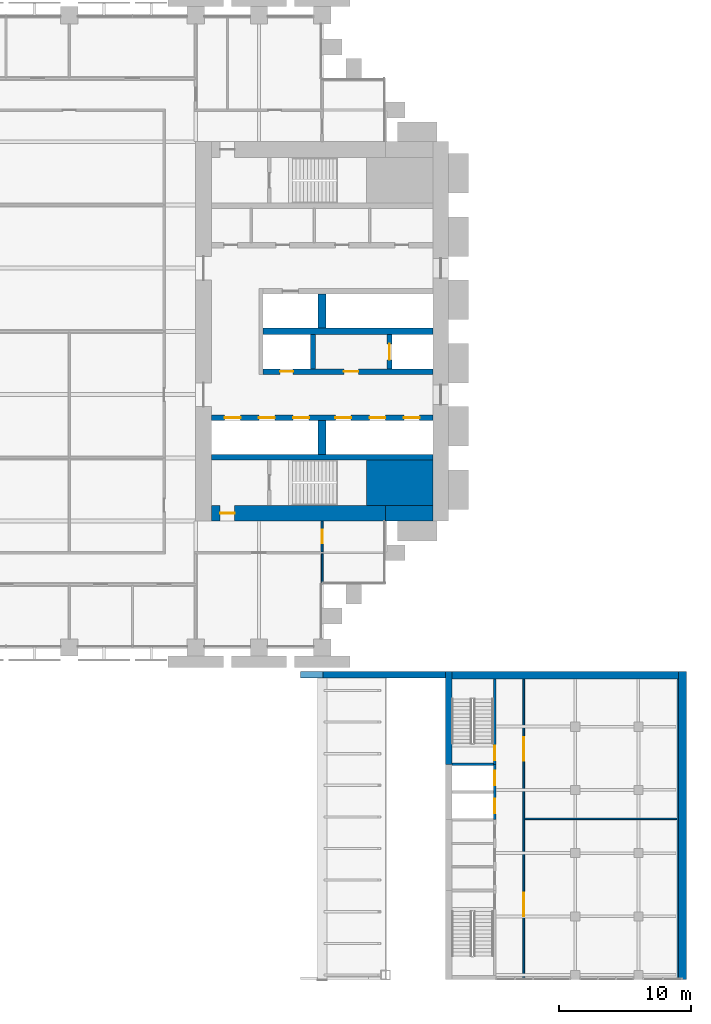
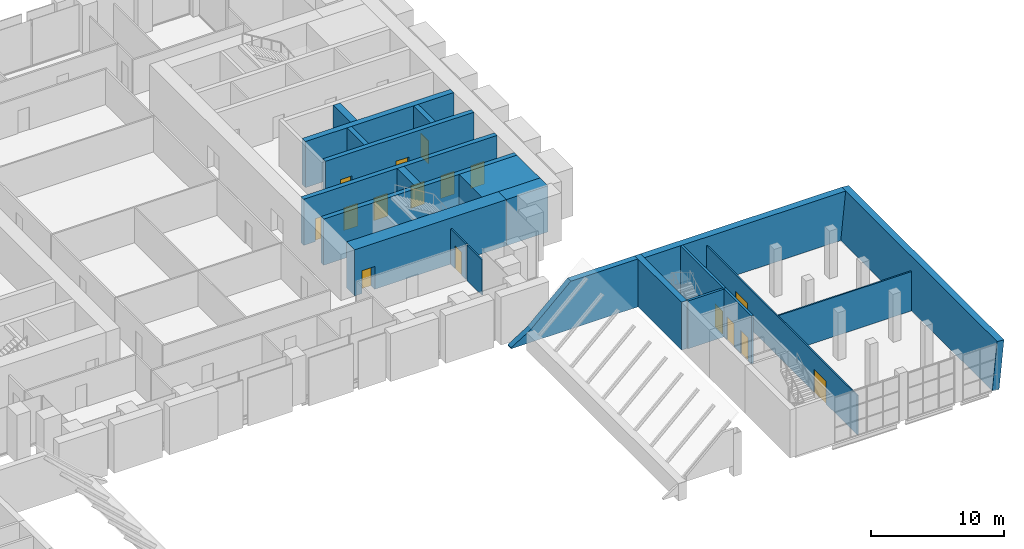
# One storey, part 23 of 30: 22 walls, 16 doors, 16 openings.
"""IFC4 building model written with IfcOpenShell, lengths in metres."""

from ifc_helpers import new_model, si_unit, direction, frame, frame_2d, origin, place, context, subcontext, project, spatial, polyline, rectangle, outline, extrude, material, layer, layer_set, type_object, element, fill, save


model = new_model("IFC4")

# Units and contexts
model_context = context("Model", 3, precision=1e-05, world=origin(), true_north=direction((0.0, 1.0)))
body_context = subcontext(model_context, "Body", "Model", "MODEL_VIEW")
ifc_project = project(units=[si_unit("LENGTHUNIT", "METRE"), si_unit("AREAUNIT", "SQUARE_METRE"), si_unit("VOLUMEUNIT", "CUBIC_METRE"), si_unit("PLANEANGLEUNIT", "RADIAN"), si_unit("MASSUNIT", "GRAM", prefix="KILO")], contexts=[model_context])

# Site, building, storey
site_placement = place(None, origin())
site = spatial("IfcSite", under=ifc_project, at=site_placement, CompositionType="ELEMENT")
building_placement = place(site_placement, origin())
building = spatial("IfcBuilding", under=site, at=building_placement, Name="Baori Bourse Tower", CompositionType="ELEMENT")
storey_placement = place(building_placement, frame((0.0, 0.0, 17.0)))
storey = spatial("IfcBuildingStorey", under=building, at=storey_placement, Name="L02", CompositionType="ELEMENT", Elevation=17.0)

# Walls
ifc_material_1 = material(Name="Concrete f'c 70 MPa", Category="concrete")
wall_type_1 = type_object("IfcWallType", Name="Core corner block f'c 70", PredefinedType="SHEAR", material=ifc_material_1)
wall_1_placement = place(storey_placement, frame((51.35009765625, 12.52490234375, 0.0), z_axis=(0.0, 0.0, 1.0), x_axis=(1.0, 0.0, 0.0)))
element("IfcWall", 1, at=wall_1_placement, inside=storey, type_object=wall_type_1, Name="Core wall E05", PredefinedType="SHEAR", context=body_context, shape_type="SweptSolid", body=[
    extrude(rectangle(XDim=5.0498046875, YDim=3.449951171875, at=frame_2d((2.52490234375, 0.0))), origin(), (0.0, 0.0, 1.0), 4.239990234375),
])
ifc_material_2 = material(Name="Concrete f'c 70 MPa", Category="concrete")
ifc_layer_1 = layer(ifc_material_2, 1.199951171875)
ifc_layer_set_1 = layer_set([ifc_layer_1], Name="Core wall 1200 f'c 70")
wall_type_2 = type_object("IfcWallType", Name="Core wall 1200 f'c 70", PredefinedType="SHEAR", material=ifc_layer_set_1)
wall_2_placement = place(storey_placement, frame((56.39990234375, 10.199951171875, 0.0), z_axis=(0.0, 0.0, 1.0), x_axis=(-1.0, 0.0, 0.0)))
element("IfcWall", 2, at=wall_2_placement, inside=storey, type_object=wall_type_2, Name="Core wall E02", PredefinedType="SHEAR", context=body_context, shape_type="SweptSolid", body=[
    extrude(rectangle(XDim=3.599853515625, YDim=1.199951171875, at=frame_2d((1.7998046875, 0.0))), origin(), (0.0, 0.0, 1.0), 4.239990234375),
])

# Wall, opening, door
wall_3_placement = place(storey_placement, frame((52.800048828125, 10.199951171875, 0.0), z_axis=(0.0, 0.0, 1.0), x_axis=(-1.0, 0.0, 0.0)))
wall_3 = element("IfcWall", 3, at=wall_3_placement, inside=storey, type_object=wall_type_2, Name="Core wall E03", PredefinedType="SHEAR", context=body_context, shape_type="SweptSolid", body=[
    extrude(rectangle(XDim=13.199951171875, YDim=1.199951171875, at=frame_2d((6.60009765625, 0.0))), origin(), (0.0, 0.0, 1.0), 4.239990234375),
])
opening_1_placement = place(wall_3_placement, frame((11.449951171875, 0.0, 0.0)))
opening_1 = element("IfcOpeningElement", 4, at=opening_1_placement, cuts=wall_3, Name="Opening L02-D202", PredefinedType="OPENING", context=body_context, shape_type="SweptSolid", body=[
    extrude(rectangle(XDim=1.10009765625, YDim=2.10009765625, at=frame_2d((0.550048828125, 1.050048828125))), frame((0.0, 0.60986328125, 0.0), z_axis=(0.0, -1.0, 0.0), x_axis=(1.0, 0.0, 0.0)), (0.0, 0.0, 1.0), 1.219970703125),
])
ifc_material_3 = material(Name="Painted steel door", Category="steel")
door_type_1 = type_object("IfcDoorType", Name="Stair door 1100", OperationType="SINGLE_SWING_LEFT", PredefinedType="DOOR", material=ifc_material_3)
door_1_placement = place(opening_1_placement, origin())
door_1 = element("IfcDoor", 5, at=door_1_placement, inside=storey, type_object=door_type_1, Name="Stair vestibule door A E L02", OperationType="SINGLE_SWING_LEFT", OverallHeight=2.10009765625, OverallWidth=1.10009765625, PredefinedType="DOOR", context=body_context, shape_type="SweptSolid", body=[
    extrude(rectangle(XDim=1.10009765625, YDim=2.10009765625, at=frame_2d((0.550048828125, 1.050048828125))), frame((0.0, 0.02490234375, 0.0), z_axis=(0.0, -1.0, 0.0), x_axis=(1.0, 0.0, 0.0)), (0.0, 0.0, 1.0), 0.050048828125),
])
fill(opening_1, door_1)

ifc_material_4 = material(Name="Gypsum board partition")
ifc_layer_2 = layer(ifc_material_4, 0.14990234375)
ifc_layer_set_2 = layer_set([ifc_layer_2], Name="Corridor partition 150")
wall_type_3 = type_object("IfcWallType", Name="Corridor partition 150", PredefinedType="PARTITIONING", material=ifc_layer_set_2)
wall_4_placement = place(storey_placement, frame((48.0, 7.27490234375, 0.0), z_axis=(0.0, 0.0, 1.0), x_axis=(0.0, 1.0, 0.0)))
wall_4 = element("IfcWall", 6, at=wall_4_placement, inside=storey, type_object=wall_type_3, Name="Partition", PredefinedType="PARTITIONING", context=body_context, shape_type="SweptSolid", body=[
    extrude(rectangle(XDim=2.3251953125, YDim=0.14990234375, at=frame_2d((1.16259765625, 0.0))), origin(), (0.0, 0.0, 1.0), 3.24951171875),
])
opening_2_placement = place(wall_4_placement, frame((0.66259765625, 0.0, 0.0)))
opening_2 = element("IfcOpeningElement", 7, at=opening_2_placement, cuts=wall_4, Name="Opening L02-D24", PredefinedType="OPENING", context=body_context, shape_type="SweptSolid", body=[
    extrude(rectangle(XDim=1.0, YDim=2.10009765625, at=frame_2d((0.5, 1.050048828125))), frame((0.0, 0.0849609375, 0.0), z_axis=(0.0, -1.0, 0.0), x_axis=(1.0, 0.0, 0.0)), (0.0, 0.0, 1.0), 0.169921875),
])
ifc_material_5 = material(Name="Timber door leaf", Category="wood")
door_type_2 = type_object("IfcDoorType", Name="Door 1000 x 2100", OperationType="SINGLE_SWING_LEFT", PredefinedType="DOOR", material=ifc_material_5)
door_2_placement = place(opening_2_placement, origin())
door_2 = element("IfcDoor", 8, at=door_2_placement, inside=storey, type_object=door_type_2, Name="Door", OperationType="SINGLE_SWING_LEFT", OverallHeight=2.10009765625, OverallWidth=1.0, PredefinedType="DOOR", context=body_context, shape_type="SweptSolid", body=[
    extrude(rectangle(XDim=1.0, YDim=2.10009765625, at=frame_2d((0.5, 1.050048828125))), frame((0.0, 0.02490234375, 0.0), z_axis=(0.0, -1.0, 0.0), x_axis=(1.0, 0.0, 0.0)), (0.0, 0.0, 1.0), 0.050048828125),
])
fill(opening_2, door_2)

# Walls
ifc_material_6 = material(Name="Concrete f'c 50 MPa", Category="concrete")
ifc_layer_3 = layer(ifc_material_6, 0.5)
ifc_layer_set_3 = layer_set([ifc_layer_3], Name="Hall end wall 500")
wall_type_4 = type_object("IfcWallType", Name="Hall end wall 500", PredefinedType="SOLIDWALL", material=ifc_layer_set_3)
wall_5_placement = place(storey_placement, frame((57.60009765625, -1.800048828125, 0.0), z_axis=(0.0, 0.0, 1.0), x_axis=(0.0, -1.0, 0.0)))
element("IfcWall", 9, at=wall_5_placement, inside=storey, type_object=wall_type_4, Name="wing/L02/Ehallwall/001", PredefinedType="SOLIDWALL", context=body_context, shape_type="SweptSolid", body=[
    extrude(rectangle(XDim=7.06005859375, YDim=0.5, at=frame_2d((3.530029296875, 0.0))), origin(), (0.0, 0.0, 1.0), 4.39990234375),
])
ifc_material_7 = material(Name="Concrete f'c 50 MPa", Category="concrete")
ifc_layer_4 = layer(ifc_material_7, 0.5)
ifc_layer_set_4 = layer_set([ifc_layer_4], Name="Hall north wall 500")
wall_type_5 = type_object("IfcWallType", Name="Hall north wall 500", PredefinedType="SOLIDWALL", material=ifc_layer_set_4)
wall_6_placement = place(storey_placement, frame((46.336181640625, -2.050048828125, 0.0), z_axis=(0.0, 0.0, 1.0), x_axis=(1.0, 0.0, 0.0)))
element("IfcWall", 10, at=wall_6_placement, inside=storey, type_object=wall_type_5, Name="wing/L02/hallnorth/002", PredefinedType="SOLIDWALL", context=body_context, shape_type="SweptSolid", body=[
    extrude(outline(polyline([(0.0, 0.0), (11.013916015625, 0.0), (11.013671875, 4.39990234375), (6.4638671875, 4.39990234375), (5.18359375, 4.39990234375), (1.663818359375, 1.140380859375), (0.0, 0.10009765625), (0.0, 0.0)])), frame((0.0, 0.25, 0.0), z_axis=(0.0, -1.0, 0.0), x_axis=(1.0, 0.0, 0.0)), (0.0, 0.0, 1.0), 0.5),
])
ifc_material_8 = material(Name="Concrete f'c 50 MPa", Category="concrete")
ifc_layer_5 = layer(ifc_material_8, 0.60009765625)
ifc_layer_set_5 = layer_set([ifc_layer_5], Name="Leaning end wall 600")
wall_type_6 = type_object("IfcWallType", Name="Leaning end wall 600", PredefinedType="SOLIDWALL", material=ifc_layer_set_5)
wall_7_placement = place(storey_placement, frame((74.92626953125, -25.199951171875, 0.0), z_axis=(-0.995397890889, 0.0, 0.095828173382), x_axis=(0.0, 1.0, 0.0)))
element("IfcWall", 11, at=wall_7_placement, inside=storey, type_object=wall_type_6, Name="wing/L02/Eleanwall/001", PredefinedType="SOLIDWALL", context=body_context, shape_type="SweptSolid", body=[
    extrude(outline(polyline([(0.0, 0.0), (23.39990234375, 0.0), (23.39990234375, -4.420244792582843), (0.0, -4.420244792582843), (0.0, 0.0)])), origin(), (0.0, 0.0, -1.0), 0.60009765625),
])
ifc_material_9 = material(Name="Gypsum board partition")
ifc_layer_6 = layer(ifc_material_9, 0.125)
ifc_layer_set_6 = layer_set([ifc_layer_6], Name="Partition 125")
wall_type_7 = type_object("IfcWallType", Name="Partition 125", PredefinedType="PARTITIONING", material=ifc_layer_set_6)
wall_8_placement = place(storey_placement, frame((48.0, 4.89990234375, 0.0), z_axis=(0.0, 0.0, 1.0), x_axis=(0.0, 1.0, 0.0)))
element("IfcWall", 12, at=wall_8_placement, inside=storey, type_object=wall_type_7, Name="Partition", PredefinedType="PARTITIONING", context=body_context, shape_type="SweptSolid", body=[
    extrude(rectangle(XDim=2.22509765625, YDim=0.125, at=frame_2d((1.112548828125, 0.0))), origin(), (0.0, 0.0, 1.0), 3.24951171875),
])

# Wall, opening, door
ifc_material_10 = material(Name="Concrete f'c 50 MPa", Category="concrete")
ifc_layer_7 = layer(ifc_material_10, 0.199951171875)
ifc_layer_set_7 = layer_set([ifc_layer_7], Name="Shaft wall 200")
wall_type_8 = type_object("IfcWallType", Name="Shaft wall 200", PredefinedType="SOLIDWALL", material=ifc_layer_set_7)
wall_9_placement = place(storey_placement, frame((61.10009765625, -2.39990234375, 0.0), z_axis=(0.0, 0.0, 1.0), x_axis=(0.0, -1.0, 0.0)))
wall_9 = element("IfcWall", 13, at=wall_9_placement, inside=storey, type_object=wall_type_8, Name="wing/L02/EcorrwallE/001", PredefinedType="SOLIDWALL", context=body_context, shape_type="SweptSolid", body=[
    extrude(rectangle(XDim=6.460205078125, YDim=0.199951171875, at=frame_2d((3.22998046875, 0.0))), origin(), (0.0, 0.0, 1.0), 4.39990234375),
])
opening_3_placement = place(wall_9_placement, frame((5.050048828125, 0.0, 0.0)))
opening_3 = element("IfcOpeningElement", 14, at=opening_3_placement, cuts=wall_9, Name="Opening WGE-L02-01", PredefinedType="OPENING", context=body_context, shape_type="SweptSolid", body=[
    extrude(rectangle(XDim=1.10009765625, YDim=2.10009765625, at=frame_2d((0.550048828125, 1.050048828125))), frame((0.0, 0.10986328125, 0.0), z_axis=(0.0, -1.0, 0.0), x_axis=(1.0, 0.0, 0.0)), (0.0, 0.0, 1.0), 0.219970703125),
])
ifc_material_11 = material(Name="Steel fire door", Category="steel")
door_type_3 = type_object("IfcDoorType", Name="Wing stair door 1100", OperationType="SINGLE_SWING_LEFT", PredefinedType="DOOR", material=ifc_material_11)
door_3_placement = place(opening_3_placement, origin())
door_3 = element("IfcDoor", 15, at=door_3_placement, inside=storey, type_object=door_type_3, Name="WGE-L02-01", OperationType="SINGLE_SWING_LEFT", OverallHeight=2.10009765625, OverallWidth=1.10009765625, PredefinedType="DOOR", context=body_context, shape_type="SweptSolid", body=[
    extrude(rectangle(XDim=1.10009765625, YDim=2.10009765625, at=frame_2d((0.550048828125, 1.050048828125))), frame((0.0, 0.02490234375, 0.0), z_axis=(0.0, -1.0, 0.0), x_axis=(1.0, 0.0, 0.0)), (0.0, 0.0, 1.0), 0.050048828125),
])
fill(opening_3, door_3)

# Wall, openings, doors
wall_10_placement = place(storey_placement, frame((61.10009765625, -8.860107421875, 0.0), z_axis=(0.0, 0.0, 1.0), x_axis=(0.0, -1.0, 0.0)))
wall_10 = element("IfcWall", 16, at=wall_10_placement, inside=storey, type_object=wall_type_8, Name="wing/L02/EcorrwallE/002", PredefinedType="SOLIDWALL", context=body_context, shape_type="SweptSolid", body=[
    extrude(rectangle(XDim=4.199951171875, YDim=0.199951171875, at=frame_2d((2.10009765625, 0.0))), origin(), (0.0, 0.0, 1.0), 4.39990234375),
])
opening_4_placement = place(wall_10_placement, frame((0.5, 0.0, 0.0)))
opening_4 = element("IfcOpeningElement", 17, at=opening_4_placement, cuts=wall_10, Name="Opening LD-E-L02-P", PredefinedType="OPENING", context=body_context, shape_type="SweptSolid", body=[
    extrude(rectangle(XDim=1.10009765625, YDim=2.10009765625, at=frame_2d((0.550048828125, 1.050048828125))), frame((0.0, 0.10986328125, 0.0), z_axis=(0.0, -1.0, 0.0), x_axis=(1.0, 0.0, 0.0)), (0.0, 0.0, 1.0), 0.219970703125),
])
opening_5_placement = place(wall_10_placement, frame((2.60009765625, 0.0, 0.0)))
opening_5 = element("IfcOpeningElement", 18, at=opening_5_placement, cuts=wall_10, Name="Opening LD-E-L02-S", PredefinedType="OPENING", context=body_context, shape_type="SweptSolid", body=[
    extrude(rectangle(XDim=1.10009765625, YDim=2.10009765625, at=frame_2d((0.550048828125, 1.050048828125))), frame((0.0, 0.10986328125, 0.0), z_axis=(0.0, -1.0, 0.0), x_axis=(1.0, 0.0, 0.0)), (0.0, 0.0, 1.0), 0.219970703125),
])
ifc_material_12 = material(Name="Stainless steel door", Category="steel")
door_type_4 = type_object("IfcDoorType", Name="Lift landing door 1100", OperationType="SLIDING_TO_LEFT", PredefinedType="DOOR", material=ifc_material_12)
door_4_placement = place(opening_4_placement, origin())
door_4 = element("IfcDoor", 19, at=door_4_placement, inside=storey, type_object=door_type_4, Name="LD-E-L02-P", OperationType="SLIDING_TO_LEFT", OverallHeight=2.10009765625, OverallWidth=1.10009765625, PredefinedType="DOOR", context=body_context, shape_type="SweptSolid", body=[
    extrude(rectangle(XDim=1.10009765625, YDim=2.10009765625, at=frame_2d((0.550048828125, 1.050048828125))), frame((0.0, 0.02490234375, 0.0), z_axis=(0.0, -1.0, 0.0), x_axis=(1.0, 0.0, 0.0)), (0.0, 0.0, 1.0), 0.050048828125),
])
fill(opening_4, door_4)
door_5_placement = place(opening_5_placement, origin())
door_5 = element("IfcDoor", 20, at=door_5_placement, inside=storey, type_object=door_type_4, Name="LD-E-L02-S", OperationType="SLIDING_TO_LEFT", OverallHeight=2.10009765625, OverallWidth=1.10009765625, PredefinedType="DOOR", context=body_context, shape_type="SweptSolid", body=[
    extrude(rectangle(XDim=1.10009765625, YDim=2.10009765625, at=frame_2d((0.550048828125, 1.050048828125))), frame((0.0, 0.02490234375, 0.0), z_axis=(0.0, -1.0, 0.0), x_axis=(1.0, 0.0, 0.0)), (0.0, 0.0, 1.0), 0.050048828125),
])
fill(opening_5, door_5)

# Walls
wall_11_placement = place(storey_placement, frame((61.0, -8.860107421875, 0.0), z_axis=(0.0, 0.0, 1.0), x_axis=(-1.0, 0.0, 0.0)))
element("IfcWall", 21, at=wall_11_placement, inside=storey, type_object=wall_type_8, Name="wing/L02/Eshaftwall/001", PredefinedType="SOLIDWALL", context=body_context, shape_type="SweptSolid", body=[
    extrude(rectangle(XDim=3.14990234375, YDim=0.199951171875, at=frame_2d((1.574951171875, 0.0))), origin(), (0.0, 0.0, 1.0), 4.39990234375),
])
ifc_material_13 = material(Name="Concrete f'c 70 MPa", Category="concrete")
ifc_layer_8 = layer(ifc_material_13, 0.39990234375)
ifc_layer_set_8 = layer_set([ifc_layer_8], Name="Shaft wall 400 f'c 70")
wall_type_9 = type_object("IfcWallType", Name="Shaft wall 400 f'c 70", PredefinedType="SHEAR", material=ifc_layer_set_8)
wall_12_placement = place(storey_placement, frame((39.60009765625, 14.449951171875, 0.0), z_axis=(0.0, 0.0, 1.0), x_axis=(1.0, 0.0, 0.0)))
element("IfcWall", 22, at=wall_12_placement, inside=storey, type_object=wall_type_9, Name="Core wall E07", PredefinedType="SHEAR", context=body_context, shape_type="SweptSolid", body=[
    extrude(rectangle(XDim=16.7998046875, YDim=0.39990234375, at=frame_2d((8.39990234375, 0.0))), origin(), (0.0, 0.0, 1.0), 4.239990234375),
])

# Wall, openings, doors
wall_13_placement = place(storey_placement, frame((39.60009765625, 17.449951171875, 0.0), z_axis=(0.0, 0.0, 1.0), x_axis=(1.0, 0.0, 0.0)))
wall_13 = element("IfcWall", 23, at=wall_13_placement, inside=storey, type_object=wall_type_9, Name="Core wall E09", PredefinedType="SHEAR", context=body_context, shape_type="SweptSolid", body=[
    extrude(rectangle(XDim=16.7998046875, YDim=0.39990234375, at=frame_2d((8.39990234375, 0.0))), origin(), (0.0, 0.0, 1.0), 4.239990234375),
])
opening_6_placement = place(wall_13_placement, frame((14.60009765625, 0.0, 0.0)))
opening_6 = element("IfcOpeningElement", 24, at=opening_6_placement, cuts=wall_13, Name="Opening L02-D213", PredefinedType="OPENING", context=body_context, shape_type="SweptSolid", body=[
    extrude(rectangle(XDim=1.199951171875, YDim=2.10009765625, at=frame_2d((0.60009765625, 1.050048828125))), frame((0.0, 0.2099609375, 0.0), z_axis=(0.0, -1.0, 0.0), x_axis=(1.0, 0.0, 0.0)), (0.0, 0.0, 1.0), 0.419921875),
])
opening_7_placement = place(wall_13_placement, frame((12.0, 0.0, 0.0)))
opening_7 = element("IfcOpeningElement", 25, at=opening_7_placement, cuts=wall_13, Name="Opening L02-D214", PredefinedType="OPENING", context=body_context, shape_type="SweptSolid", body=[
    extrude(rectangle(XDim=1.199951171875, YDim=2.10009765625, at=frame_2d((0.60009765625, 1.050048828125))), frame((0.0, 0.2099609375, 0.0), z_axis=(0.0, -1.0, 0.0), x_axis=(1.0, 0.0, 0.0)), (0.0, 0.0, 1.0), 0.419921875),
])
opening_8_placement = place(wall_13_placement, frame((9.39990234375, 0.0, 0.0)))
opening_8 = element("IfcOpeningElement", 26, at=opening_8_placement, cuts=wall_13, Name="Opening L02-D215", PredefinedType="OPENING", context=body_context, shape_type="SweptSolid", body=[
    extrude(rectangle(XDim=1.199951171875, YDim=2.10009765625, at=frame_2d((0.60009765625, 1.050048828125))), frame((0.0, 0.2099609375, 0.0), z_axis=(0.0, -1.0, 0.0), x_axis=(1.0, 0.0, 0.0)), (0.0, 0.0, 1.0), 0.419921875),
])
opening_9_placement = place(wall_13_placement, frame((6.199951171875, 0.0, 0.0)))
opening_9 = element("IfcOpeningElement", 27, at=opening_9_placement, cuts=wall_13, Name="Opening L02-D216", PredefinedType="OPENING", context=body_context, shape_type="SweptSolid", body=[
    extrude(rectangle(XDim=1.199951171875, YDim=2.10009765625, at=frame_2d((0.60009765625, 1.050048828125))), frame((0.0, 0.2099609375, 0.0), z_axis=(0.0, -1.0, 0.0), x_axis=(1.0, 0.0, 0.0)), (0.0, 0.0, 1.0), 0.419921875),
])
opening_10_placement = place(wall_13_placement, frame((3.60009765625, 0.0, 0.0)))
opening_10 = element("IfcOpeningElement", 28, at=opening_10_placement, cuts=wall_13, Name="Opening L02-D217", PredefinedType="OPENING", context=body_context, shape_type="SweptSolid", body=[
    extrude(rectangle(XDim=1.199951171875, YDim=2.10009765625, at=frame_2d((0.60009765625, 1.050048828125))), frame((0.0, 0.2099609375, 0.0), z_axis=(0.0, -1.0, 0.0), x_axis=(1.0, 0.0, 0.0)), (0.0, 0.0, 1.0), 0.419921875),
])
opening_11_placement = place(wall_13_placement, frame((1.0, 0.0, 0.0)))
opening_11 = element("IfcOpeningElement", 29, at=opening_11_placement, cuts=wall_13, Name="Opening L02-D218", PredefinedType="OPENING", context=body_context, shape_type="SweptSolid", body=[
    extrude(rectangle(XDim=1.199951171875, YDim=2.10009765625, at=frame_2d((0.60009765625, 1.050048828125))), frame((0.0, 0.2099609375, 0.0), z_axis=(0.0, -1.0, 0.0), x_axis=(1.0, 0.0, 0.0)), (0.0, 0.0, 1.0), 0.419921875),
])
ifc_material_14 = material(Name="Stainless steel door", Category="steel")
door_type_5 = type_object("IfcDoorType", Name="Lift landing door", OperationType="DOUBLE_DOOR_SLIDING", PredefinedType="DOOR", material=ifc_material_14)
door_6_placement = place(opening_6_placement, origin())
door_6 = element("IfcDoor", 30, at=door_6_placement, inside=storey, type_object=door_type_5, Name="Lift landing door LR1 E L02", OperationType="DOUBLE_DOOR_SLIDING", OverallHeight=2.10009765625, OverallWidth=1.199951171875, PredefinedType="DOOR", context=body_context, shape_type="SweptSolid", body=[
    extrude(rectangle(XDim=1.199951171875, YDim=2.10009765625, at=frame_2d((0.60009765625, 1.050048828125))), frame((0.0, 0.02490234375, 0.0), z_axis=(0.0, -1.0, 0.0), x_axis=(1.0, 0.0, 0.0)), (0.0, 0.0, 1.0), 0.050048828125),
])
fill(opening_6, door_6)
door_7_placement = place(opening_7_placement, origin())
door_7 = element("IfcDoor", 31, at=door_7_placement, inside=storey, type_object=door_type_5, Name="Lift landing door LR2 E L02", OperationType="DOUBLE_DOOR_SLIDING", OverallHeight=2.10009765625, OverallWidth=1.199951171875, PredefinedType="DOOR", context=body_context, shape_type="SweptSolid", body=[
    extrude(rectangle(XDim=1.199951171875, YDim=2.10009765625, at=frame_2d((0.60009765625, 1.050048828125))), frame((0.0, 0.02490234375, 0.0), z_axis=(0.0, -1.0, 0.0), x_axis=(1.0, 0.0, 0.0)), (0.0, 0.0, 1.0), 0.050048828125),
])
fill(opening_7, door_7)
door_8_placement = place(opening_8_placement, origin())
door_8 = element("IfcDoor", 32, at=door_8_placement, inside=storey, type_object=door_type_5, Name="Lift landing door LR3 E L02", OperationType="DOUBLE_DOOR_SLIDING", OverallHeight=2.10009765625, OverallWidth=1.199951171875, PredefinedType="DOOR", context=body_context, shape_type="SweptSolid", body=[
    extrude(rectangle(XDim=1.199951171875, YDim=2.10009765625, at=frame_2d((0.60009765625, 1.050048828125))), frame((0.0, 0.02490234375, 0.0), z_axis=(0.0, -1.0, 0.0), x_axis=(1.0, 0.0, 0.0)), (0.0, 0.0, 1.0), 0.050048828125),
])
fill(opening_8, door_8)
door_9_placement = place(opening_9_placement, origin())
door_9 = element("IfcDoor", 33, at=door_9_placement, inside=storey, type_object=door_type_5, Name="Lift landing door LR4 E L02", OperationType="DOUBLE_DOOR_SLIDING", OverallHeight=2.10009765625, OverallWidth=1.199951171875, PredefinedType="DOOR", context=body_context, shape_type="SweptSolid", body=[
    extrude(rectangle(XDim=1.199951171875, YDim=2.10009765625, at=frame_2d((0.60009765625, 1.050048828125))), frame((0.0, 0.02490234375, 0.0), z_axis=(0.0, -1.0, 0.0), x_axis=(1.0, 0.0, 0.0)), (0.0, 0.0, 1.0), 0.050048828125),
])
fill(opening_9, door_9)
door_10_placement = place(opening_10_placement, origin())
door_10 = element("IfcDoor", 34, at=door_10_placement, inside=storey, type_object=door_type_5, Name="Lift landing door LR5 E L02", OperationType="DOUBLE_DOOR_SLIDING", OverallHeight=2.10009765625, OverallWidth=1.199951171875, PredefinedType="DOOR", context=body_context, shape_type="SweptSolid", body=[
    extrude(rectangle(XDim=1.199951171875, YDim=2.10009765625, at=frame_2d((0.60009765625, 1.050048828125))), frame((0.0, 0.02490234375, 0.0), z_axis=(0.0, -1.0, 0.0), x_axis=(1.0, 0.0, 0.0)), (0.0, 0.0, 1.0), 0.050048828125),
])
fill(opening_10, door_10)
door_11_placement = place(opening_11_placement, origin())
door_11 = element("IfcDoor", 35, at=door_11_placement, inside=storey, type_object=door_type_5, Name="Lift landing door LR6 E L02", OperationType="DOUBLE_DOOR_SLIDING", OverallHeight=2.10009765625, OverallWidth=1.199951171875, PredefinedType="DOOR", context=body_context, shape_type="SweptSolid", body=[
    extrude(rectangle(XDim=1.199951171875, YDim=2.10009765625, at=frame_2d((0.60009765625, 1.050048828125))), frame((0.0, 0.02490234375, 0.0), z_axis=(0.0, -1.0, 0.0), x_axis=(1.0, 0.0, 0.0)), (0.0, 0.0, 1.0), 0.050048828125),
])
fill(opening_11, door_11)

wall_14_placement = place(storey_placement, frame((43.5, 20.949951171875, 0.0), z_axis=(0.0, 0.0, 1.0), x_axis=(1.0, 0.0, 0.0)))
wall_14 = element("IfcWall", 36, at=wall_14_placement, inside=storey, type_object=wall_type_9, Name="Core wall E10", PredefinedType="SHEAR", context=body_context, shape_type="SweptSolid", body=[
    extrude(rectangle(XDim=12.89990234375, YDim=0.39990234375, at=frame_2d((6.449951171875, 0.0))), origin(), (0.0, 0.0, 1.0), 4.239990234375),
])
opening_12_placement = place(wall_14_placement, frame((6.14990234375, 0.0, 0.0)))
opening_12 = element("IfcOpeningElement", 37, at=opening_12_placement, cuts=wall_14, Name="Opening L02-D205", PredefinedType="OPENING", context=body_context, shape_type="SweptSolid", body=[
    extrude(rectangle(XDim=1.10009765625, YDim=2.10009765625, at=frame_2d((0.550048828125, 1.050048828125))), frame((0.0, 0.2099609375, 0.0), z_axis=(0.0, -1.0, 0.0), x_axis=(1.0, 0.0, 0.0)), (0.0, 0.0, 1.0), 0.419921875),
])
opening_13_placement = place(wall_14_placement, frame((1.300048828125, 0.0, 0.0)))
opening_13 = element("IfcOpeningElement", 38, at=opening_13_placement, cuts=wall_14, Name="Opening L02-D206", PredefinedType="OPENING", context=body_context, shape_type="SweptSolid", body=[
    extrude(rectangle(XDim=1.0, YDim=2.10009765625, at=frame_2d((0.5, 1.050048828125))), frame((0.0, 0.2099609375, 0.0), z_axis=(0.0, -1.0, 0.0), x_axis=(1.0, 0.0, 0.0)), (0.0, 0.0, 1.0), 0.419921875),
])
ifc_material_15 = material(Name="Painted steel door", Category="steel")
door_type_6 = type_object("IfcDoorType", Name="Lobby door 1100", OperationType="SINGLE_SWING_LEFT", PredefinedType="DOOR", material=ifc_material_15)
door_12_placement = place(opening_12_placement, origin())
door_12 = element("IfcDoor", 39, at=door_12_placement, inside=storey, type_object=door_type_6, Name="Firefighting lobby door E L02", OperationType="SINGLE_SWING_LEFT", OverallHeight=2.10009765625, OverallWidth=1.10009765625, PredefinedType="DOOR", context=body_context, shape_type="SweptSolid", body=[
    extrude(rectangle(XDim=1.10009765625, YDim=2.10009765625, at=frame_2d((0.550048828125, 1.050048828125))), frame((0.0, 0.02490234375, 0.0), z_axis=(0.0, -1.0, 0.0), x_axis=(1.0, 0.0, 0.0)), (0.0, 0.0, 1.0), 0.050048828125),
])
fill(opening_12, door_12)
ifc_material_16 = material(Name="Painted steel door", Category="steel")
door_type_7 = type_object("IfcDoorType", Name="Shaft door 1000", OperationType="SINGLE_SWING_LEFT", PredefinedType="DOOR", material=ifc_material_16)
door_13_placement = place(opening_13_placement, origin())
door_13 = element("IfcDoor", 40, at=door_13_placement, inside=storey, type_object=door_type_7, Name="Riser room door E L02", OperationType="SINGLE_SWING_LEFT", OverallHeight=2.10009765625, OverallWidth=1.0, PredefinedType="DOOR", context=body_context, shape_type="SweptSolid", body=[
    extrude(rectangle(XDim=1.0, YDim=2.10009765625, at=frame_2d((0.5, 1.050048828125))), frame((0.0, 0.02490234375, 0.0), z_axis=(0.0, -1.0, 0.0), x_axis=(1.0, 0.0, 0.0)), (0.0, 0.0, 1.0), 0.050048828125),
])
fill(opening_13, door_13)

# Wall, opening, door
wall_15_placement = place(storey_placement, frame((53.10009765625, 21.14990234375, 0.0), z_axis=(0.0, 0.0, 1.0), x_axis=(0.0, 1.0, 0.0)))
wall_15 = element("IfcWall", 41, at=wall_15_placement, inside=storey, type_object=wall_type_9, Name="Core wall E12", PredefinedType="SHEAR", context=body_context, shape_type="SweptSolid", body=[
    extrude(rectangle(XDim=2.60009765625, YDim=0.39990234375, at=frame_2d((1.300048828125, 0.0))), origin(), (0.0, 0.0, 1.0), 4.239990234375),
])
opening_14_placement = place(wall_15_placement, frame((0.699951171875, 0.0, 0.0)))
opening_14 = element("IfcOpeningElement", 42, at=opening_14_placement, cuts=wall_15, Name="Opening L02-D220", PredefinedType="OPENING", context=body_context, shape_type="SweptSolid", body=[
    extrude(rectangle(XDim=1.199951171875, YDim=2.10009765625, at=frame_2d((0.60009765625, 1.050048828125))), frame((0.0, 0.2099609375, 0.0), z_axis=(0.0, -1.0, 0.0), x_axis=(1.0, 0.0, 0.0)), (0.0, 0.0, 1.0), 0.419921875),
])
door_14_placement = place(opening_14_placement, origin())
door_14 = element("IfcDoor", 43, at=door_14_placement, inside=storey, type_object=door_type_5, Name="Lift landing door FF2 E L02", OperationType="DOUBLE_DOOR_SLIDING", OverallHeight=2.10009765625, OverallWidth=1.199951171875, PredefinedType="DOOR", context=body_context, shape_type="SweptSolid", body=[
    extrude(rectangle(XDim=1.199951171875, YDim=2.10009765625, at=frame_2d((0.60009765625, 1.050048828125))), frame((0.0, 0.02490234375, 0.0), z_axis=(0.0, -1.0, 0.0), x_axis=(1.0, 0.0, 0.0)), (0.0, 0.0, 1.0), 0.050048828125),
])
fill(opening_14, door_14)

# Walls
wall_16_placement = place(storey_placement, frame((47.300048828125, 21.14990234375, 0.0), z_axis=(0.0, 0.0, 1.0), x_axis=(0.0, 1.0, 0.0)))
element("IfcWall", 44, at=wall_16_placement, inside=storey, type_object=wall_type_9, Name="Core wall E13", PredefinedType="SHEAR", context=body_context, shape_type="SweptSolid", body=[
    extrude(rectangle(XDim=2.60009765625, YDim=0.39990234375, at=frame_2d((1.300048828125, 0.0))), origin(), (0.0, 0.0, 1.0), 4.239990234375),
])
ifc_material_17 = material(Name="Concrete f'c 70 MPa", Category="concrete")
ifc_layer_9 = layer(ifc_material_17, 0.5)
ifc_layer_set_9 = layer_set([ifc_layer_9], Name="Shaft wall 500 f'c 70")
wall_type_10 = type_object("IfcWallType", Name="Shaft wall 500 f'c 70", PredefinedType="SHEAR", material=ifc_layer_set_9)
wall_17_placement = place(storey_placement, frame((43.5, 24.0, 0.0), z_axis=(0.0, 0.0, 1.0), x_axis=(1.0, 0.0, 0.0)))
element("IfcWall", 45, at=wall_17_placement, inside=storey, type_object=wall_type_10, Name="Core wall E14", PredefinedType="SHEAR", context=body_context, shape_type="SweptSolid", body=[
    extrude(rectangle(XDim=12.89990234375, YDim=0.5, at=frame_2d((6.449951171875, 0.0))), origin(), (0.0, 0.0, 1.0), 4.239990234375),
])
ifc_material_18 = material(Name="Concrete f'c 70 MPa", Category="concrete")
ifc_layer_10 = layer(ifc_material_18, 0.60009765625)
ifc_layer_set_10 = layer_set([ifc_layer_10], Name="Shaft wall 600 f'c 70")
wall_type_11 = type_object("IfcWallType", Name="Shaft wall 600 f'c 70", PredefinedType="SHEAR", material=ifc_layer_set_10)
for number, where, z_axis, x_axis, name in (
    (46, (48.0, 14.64990234375, 0.0), (0.0, 0.0, 1.0), (0.0, 1.0, 0.0), "Core wall E08"),
    (47, (48.0, 24.25, 0.0), (0.0, 0.0, 1.0), (0.0, 1.0, 0.0), "Core wall E15"),
):
    element("IfcWall", number, at=place(storey_placement, frame(where, z_axis=z_axis, x_axis=x_axis)), inside=storey, type_object=wall_type_11, Name=name, PredefinedType="SHEAR", context=body_context, shape_type="SweptSolid", body=[
        extrude(rectangle(XDim=2.60009765625, YDim=0.60009765625, at=frame_2d((1.300048828125, 0.0))), origin(), (0.0, 0.0, 1.0), 4.239990234375),
    ])
ifc_material_19 = material(Name="Concrete f'c 50 MPa", Category="concrete")
ifc_layer_11 = layer(ifc_material_19, 0.60009765625)
ifc_layer_set_11 = layer_set([ifc_layer_11], Name="Wing north wall 600")
wall_type_12 = type_object("IfcWallType", Name="Wing north wall 600", PredefinedType="SOLIDWALL", material=ifc_layer_set_11)
wall_18_placement = place(storey_placement, frame((57.85009765625, -2.10009765625, 0.0), z_axis=(0.0, 0.0, 1.0), x_axis=(1.0, 0.0, 0.0)))
element("IfcWall", 48, at=wall_18_placement, inside=storey, type_object=wall_type_12, Name="wing/L02/Enorthwall/001", PredefinedType="SOLIDWALL", context=body_context, shape_type="SweptSolid", body=[
    extrude(outline(polyline([(0.0, 0.0), (17.076171875, 0.0), (17.5, 4.39990234375), (0.0, 4.39990234375), (0.0, 0.0)])), frame((0.0, 0.300048828125, 0.0), z_axis=(0.0, -1.0, 0.0), x_axis=(1.0, 0.0, 0.0)), (0.0, 0.0, 1.0), 0.60009765625),
])

# Wall, openings, doors
ifc_material_20 = material(Name="Gypsum board partition")
ifc_layer_12 = layer(ifc_material_20, 0.125)
ifc_layer_set_12 = layer_set([ifc_layer_12], Name="Wing partition 125")
wall_type_13 = type_object("IfcWallType", Name="Wing partition 125", PredefinedType="PARTITIONING", material=ifc_layer_set_12)
wall_19_placement = place(storey_placement, frame((63.300048828125, -25.10009765625, 0.0), z_axis=(0.0, 0.0, 1.0), x_axis=(0.0, 1.0, 0.0)))
wall_19 = element("IfcWall", 49, at=wall_19_placement, inside=storey, type_object=wall_type_13, Name="wing/L02/EcorrwallW/001", PredefinedType="PARTITIONING", context=body_context, shape_type="SweptSolid", body=[
    extrude(rectangle(XDim=22.7001953125, YDim=0.125, at=frame_2d((11.35009765625, 0.0))), origin(), (0.0, 0.0, 1.0), 3.6201171875),
])
opening_15_placement = place(wall_19_placement, frame((16.5, 0.0, 0.0)))
opening_15 = element("IfcOpeningElement", 50, at=opening_15_placement, cuts=wall_19, Name="Opening WGE-L02-03", PredefinedType="OPENING", context=body_context, shape_type="SweptSolid", body=[
    extrude(rectangle(XDim=1.800048828125, YDim=2.10009765625, at=frame_2d((0.89990234375, 1.050048828125))), frame((0.0, 0.072509765625, 0.0), z_axis=(0.0, -1.0, 0.0), x_axis=(1.0, 0.0, 0.0)), (0.0, 0.0, 1.0), 0.14501953125),
])
opening_16_placement = place(wall_19_placement, frame((4.699951171875, 0.0, 0.0)))
opening_16 = element("IfcOpeningElement", 51, at=opening_16_placement, cuts=wall_19, Name="Opening WGE-L02-04", PredefinedType="OPENING", context=body_context, shape_type="SweptSolid", body=[
    extrude(rectangle(XDim=1.800048828125, YDim=2.10009765625, at=frame_2d((0.89990234375, 1.050048828125))), frame((0.0, 0.072509765625, 0.0), z_axis=(0.0, -1.0, 0.0), x_axis=(1.0, 0.0, 0.0)), (0.0, 0.0, 1.0), 0.14501953125),
])
ifc_material_21 = material(Name="Timber door", Category="wood")
door_type_8 = type_object("IfcDoorType", Name="Wing double door 1800x2100", OperationType="DOUBLE_DOOR_SINGLE_SWING", PredefinedType="DOOR", material=ifc_material_21)
door_15_placement = place(opening_15_placement, origin())
door_15 = element("IfcDoor", 52, at=door_15_placement, inside=storey, type_object=door_type_8, Name="WGE-L02-03", OperationType="DOUBLE_DOOR_SINGLE_SWING", OverallHeight=2.10009765625, OverallWidth=1.800048828125, PredefinedType="DOOR", context=body_context, shape_type="SweptSolid", body=[
    extrude(rectangle(XDim=1.800048828125, YDim=2.10009765625, at=frame_2d((0.89990234375, 1.050048828125))), frame((0.0, 0.02490234375, 0.0), z_axis=(0.0, -1.0, 0.0), x_axis=(1.0, 0.0, 0.0)), (0.0, 0.0, 1.0), 0.050048828125),
])
fill(opening_15, door_15)
door_16_placement = place(opening_16_placement, origin())
door_16 = element("IfcDoor", 53, at=door_16_placement, inside=storey, type_object=door_type_8, Name="WGE-L02-04", OperationType="DOUBLE_DOOR_SINGLE_SWING", OverallHeight=2.10009765625, OverallWidth=1.800048828125, PredefinedType="DOOR", context=body_context, shape_type="SweptSolid", body=[
    extrude(rectangle(XDim=1.800048828125, YDim=2.10009765625, at=frame_2d((0.89990234375, 1.050048828125))), frame((0.0, 0.02490234375, 0.0), z_axis=(0.0, -1.0, 0.0), x_axis=(1.0, 0.0, 0.0)), (0.0, 0.0, 1.0), 0.050048828125),
])
fill(opening_16, door_16)

# Wall
wall_20_placement = place(storey_placement, frame((63.362548828125, -13.0, 0.0), z_axis=(0.0, 0.0, 1.0), x_axis=(1.0, 0.0, 0.0)))
element("IfcWall", 54, at=wall_20_placement, inside=storey, type_object=wall_type_13, Name="wing/L02/Emidwall/001", PredefinedType="PARTITIONING", context=body_context, shape_type="SweptSolid", body=[
    extrude(rectangle(XDim=11.563720703125, YDim=0.125, at=frame_2d((5.78173828125, 0.0))), origin(), (0.0, 0.0, 1.0), 3.6201171875),
])

save(model, "model.ifc")
